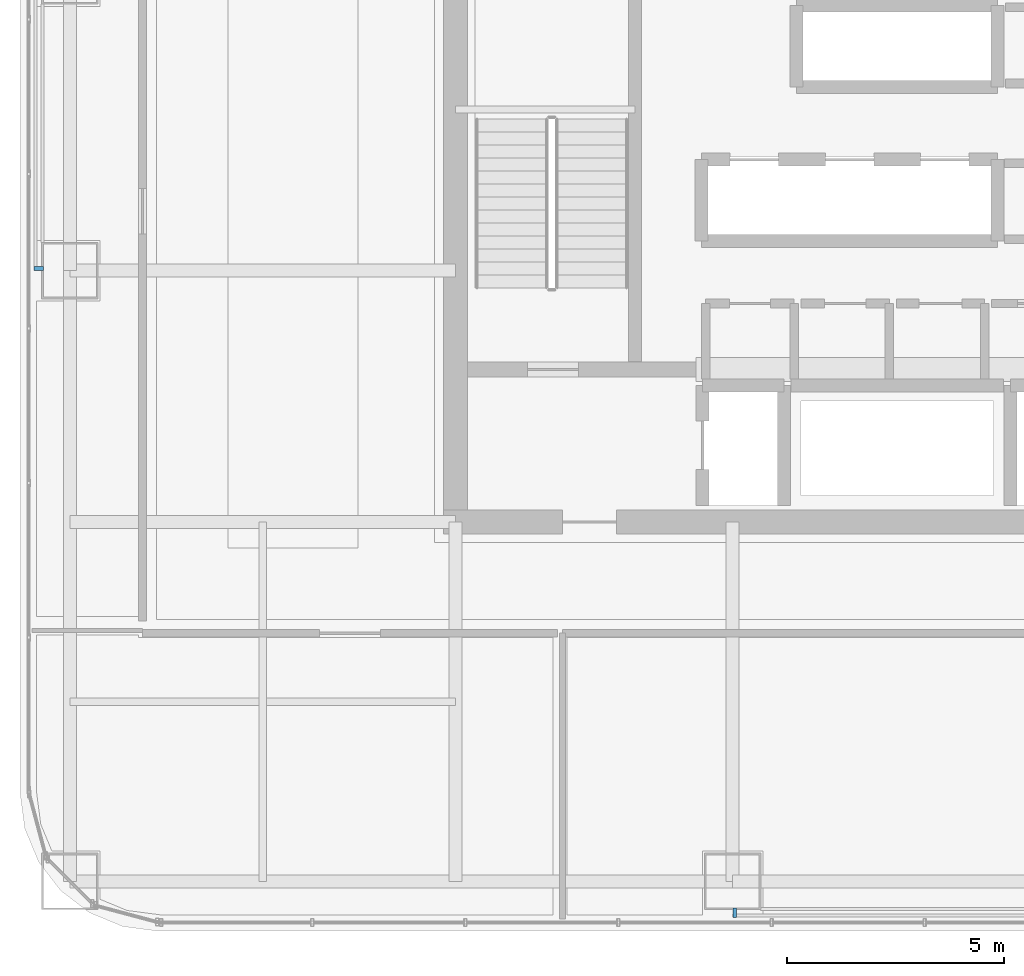
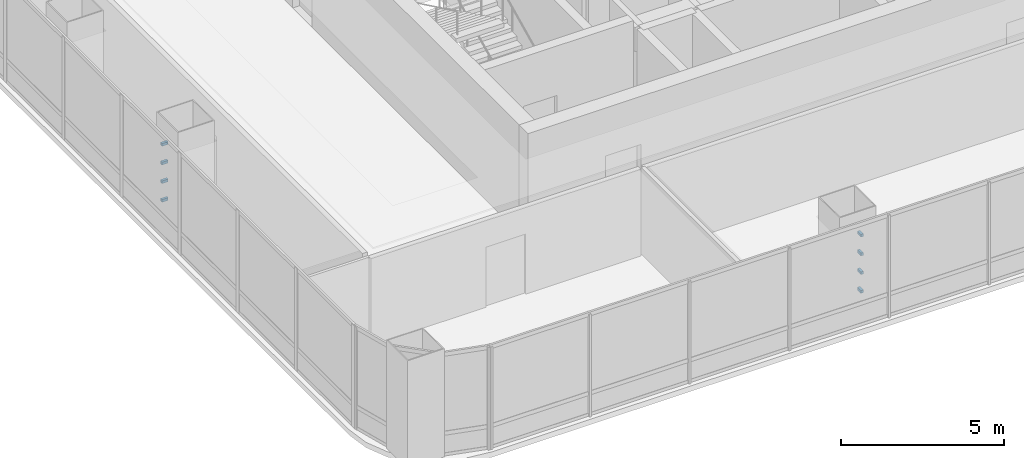
# One storey, part 36 of 42: 8 discrete accessories.
"""IFC4 building model written with IfcOpenShell, lengths in metres."""

from ifc_helpers import new_model, si_unit, direction, frame, origin, origin_2d, place, context, subcontext, project, spatial, rectangle, extrude, material, type_object, element, save


model = new_model("IFC4")

# Units and contexts
model_context = context("Model", 3, precision=1e-05, world=origin(), true_north=direction((0.0, 1.0)))
body_context = subcontext(model_context, "Body", "Model", "MODEL_VIEW")
ifc_project = project(units=[si_unit("LENGTHUNIT", "METRE"), si_unit("AREAUNIT", "SQUARE_METRE"), si_unit("VOLUMEUNIT", "CUBIC_METRE"), si_unit("PLANEANGLEUNIT", "RADIAN"), si_unit("MASSUNIT", "GRAM", prefix="KILO")], contexts=[model_context])

# Site, building, storey
site_placement = place(None, origin())
site = spatial("IfcSite", under=ifc_project, at=site_placement, CompositionType="ELEMENT")
building_placement = place(site_placement, origin())
building = spatial("IfcBuilding", under=site, at=building_placement, Name="Punatoya Terracotta Tower", CompositionType="ELEMENT")
storey_placement = place(building_placement, frame((0.0, 0.0, 263.550048828125)))
storey = spatial("IfcBuildingStorey", under=building, at=storey_placement, Name="L62", CompositionType="ELEMENT", Elevation=263.550048828125)

# Discrete accessories
ifc_material = material(Name="Steel S355", Category="steel")
discrete_accessory_type = type_object("IfcDiscreteAccessoryType", Name="ACC-BRK-220", PredefinedType="BRACKET", material=ifc_material)
for number, where, z_axis, x_axis, name in (
    (1, (-3.75, -18.219970703125, 1.099853515625), (0.0, 0.0, 1.0), (1.0, 0.0, 0.0), "L62 Baguette Louvre Column Bracket BAG-L62-S-01"),
    (2, (-3.75, -18.219970703125, 1.7998046875), (0.0, 0.0, 1.0), (1.0, 0.0, 0.0), "L62 Baguette Louvre Column Bracket BAG-L62-S-02"),
    (3, (-3.75, -18.219970703125, 2.5), (0.0, 0.0, 1.0), (1.0, 0.0, 0.0), "L62 Baguette Louvre Column Bracket BAG-L62-S-03"),
    (4, (-3.75, -18.219970703125, 3.199951171875), (0.0, 0.0, 1.0), (1.0, 0.0, 0.0), "L62 Baguette Louvre Column Bracket BAG-L62-S-04"),
    (5, (-19.820068359375, -3.35009765625, 1.099853515625), (0.0, 0.0, 1.0), (0.0, 1.0, 0.0), "L62 Baguette Louvre Column Bracket BAG-L62-W-01"),
    (6, (-19.820068359375, -3.35009765625, 1.7998046875), (0.0, 0.0, 1.0), (0.0, 1.0, 0.0), "L62 Baguette Louvre Column Bracket BAG-L62-W-02"),
    (7, (-19.820068359375, -3.35009765625, 2.5), (0.0, 0.0, 1.0), (0.0, 1.0, 0.0), "L62 Baguette Louvre Column Bracket BAG-L62-W-03"),
    (8, (-19.820068359375, -3.35009765625, 3.199951171875), (0.0, 0.0, 1.0), (0.0, 1.0, 0.0), "L62 Baguette Louvre Column Bracket BAG-L62-W-04"),
):
    element("IfcDiscreteAccessory", number, at=place(storey_placement, frame(where, z_axis=z_axis, x_axis=x_axis)), inside=storey, type_object=discrete_accessory_type, Name=name, PredefinedType="BRACKET", context=body_context, shape_type="SweptSolid", body=[
        extrude(rectangle(XDim=0.090087890625, YDim=0.219970703125, at=origin_2d()), origin(), (0.0, 0.0, 1.0), 0.10009765625),
    ])

save(model, "model.ifc")
